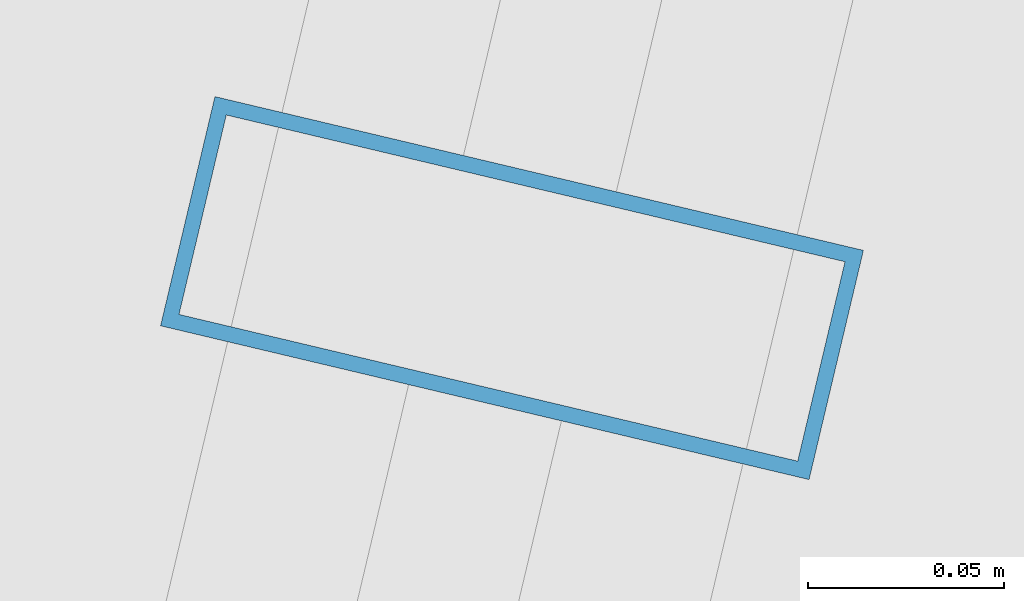
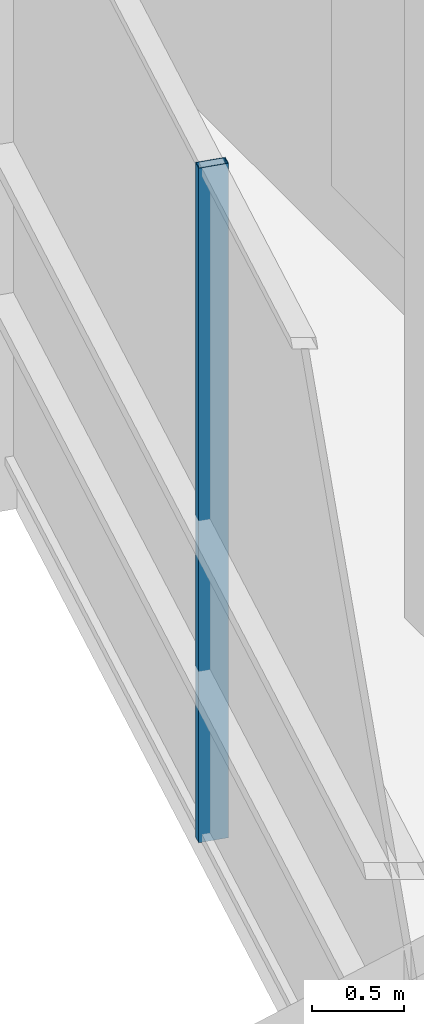
# One storey, part 10 of 41: 1 member, 1 element without a shape of its own.
"""IFC4 building model written with IfcOpenShell, lengths in metres."""

from ifc_helpers import new_model, si_unit, direction, frame, origin, origin_2d, place, context, subcontext, project, spatial, hollow_rectangle, extrude, source, transform, mapped, material, layer, layer_set, material_profile, profile_set, type_object, element, aggregate, save


model = new_model("IFC4")

# Units and contexts
model_context = context("Model", 3, precision=1e-05, world=origin(), true_north=direction((0.0, 1.0)))
body_context = subcontext(model_context, "Body", "Model", "MODEL_VIEW")
ifc_project = project(units=[si_unit("LENGTHUNIT", "METRE"), si_unit("AREAUNIT", "SQUARE_METRE"), si_unit("VOLUMEUNIT", "CUBIC_METRE"), si_unit("PLANEANGLEUNIT", "RADIAN"), si_unit("MASSUNIT", "GRAM", prefix="KILO")], contexts=[model_context])

# Site, building, storey
site_placement = place(None, origin())
site = spatial("IfcSite", under=ifc_project, at=site_placement, CompositionType="ELEMENT")
building_placement = place(site_placement, origin())
building = spatial("IfcBuilding", under=site, at=building_placement, Name="Veraguas Prism Commons", CompositionType="ELEMENT")
storey_placement = place(building_placement, frame((0.0, 0.0, 80.35009765625)))
storey = spatial("IfcBuildingStorey", under=building, at=storey_placement, Name="L22", CompositionType="ELEMENT", Elevation=80.35009765625)

# Curtain wall, member
ifc_material = material(Name="Anodised aluminium EN AW-6063 T6", Category="aluminium")
ifc_layer = layer(ifc_material, 0.169921875, Name="Unitised Flush Curtain Wall Zone 1", Category="aluminium")
ifc_layer_set = layer_set([ifc_layer], Name="Anodised aluminium EN AW-6063 T6")
curtain_wall_type = type_object("IfcCurtainWallType", Name="Unitised Flush Curtain Wall Zone 1", PredefinedType="NOTDEFINED", material=ifc_layer_set)
curtain_wall_placement = place(storey_placement, origin())
curtain_wall = element("IfcCurtainWall", 1, at=curtain_wall_placement, inside=storey, type_object=curtain_wall_type, Name="Tower Facade Curtain Wall L22-F3", PredefinedType="NOTDEFINED")
ifc_material_profile = material_profile(ifc_material, hollow_rectangle(XDim=0.06005859375, YDim=0.169921875, WallThickness=0.00390625, at=origin_2d()), Name="AL60X170X4")
ifc_profile_set = profile_set([ifc_material_profile], Name="Anodised aluminium EN AW-6063 T6")
member_type = type_object("IfcMemberType", Name="Curtain Wall Mullion Lower AL 60x170x4", PredefinedType="MULLION", material=ifc_profile_set)
shared_shape = source(origin(), body_context, "Body", "SweptSolid", [
    extrude(hollow_rectangle(XDim=0.06005859375, YDim=0.169921875, WallThickness=0.00390625, at=origin_2d()), origin(), (0.0, 0.0, 1.0), 4.47998046875),
])
member_placement = place(storey_placement, frame((3.776123046875, 28.795654296875, 0.0), z_axis=(0.0, 0.0, 1.0), x_axis=(-0.2307341828, -0.97301682251, 0.0)))
member = element("IfcMember", 2, at=member_placement, type_object=member_type, Name="CW-Z1 Mullion 3", PredefinedType="MULLION", context=body_context, shape_type="MappedRepresentation", body=[
    mapped(shared_shape, transform((0.0, 0.0, 0.0), scale=1.0)),
])
aggregate(curtain_wall, [member])

save(model, "model.ifc")
